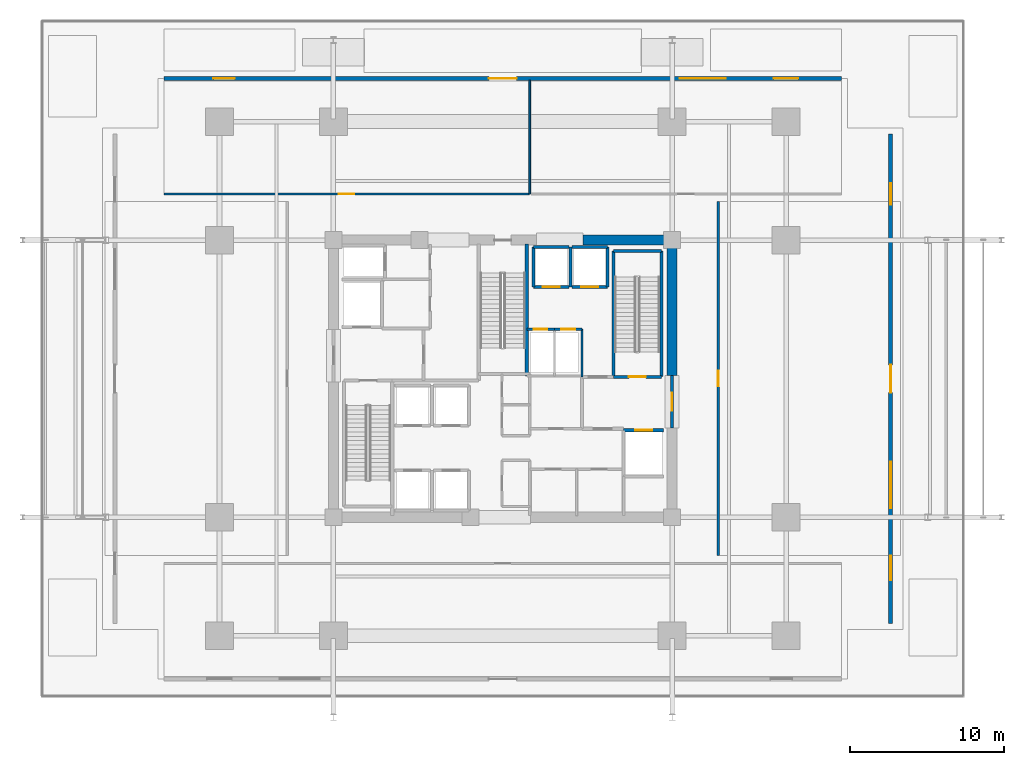
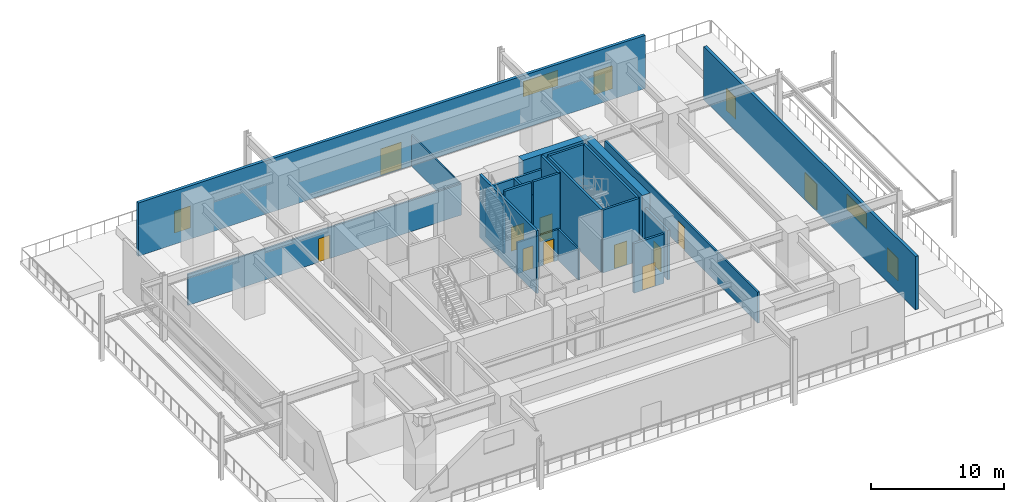
# One storey, part 8 of 14: 24 walls, 11 doors, 6 windows, 17 openings.
"""IFC4 building model written with IfcOpenShell, lengths in metres."""

from ifc_helpers import new_model, si_unit, direction, frame, frame_2d, origin, place, context, subcontext, project, spatial, rectangle, extrude, material, layer, layer_set, type_object, element, fill, save


model = new_model("IFC4")

# Units and contexts
model_context = context("Model", 3, precision=1e-05, world=origin(), true_north=direction((0.0, 1.0)))
body_context = subcontext(model_context, "Body", "Model", "MODEL_VIEW")
ifc_project = project(units=[si_unit("LENGTHUNIT", "METRE"), si_unit("AREAUNIT", "SQUARE_METRE"), si_unit("VOLUMEUNIT", "CUBIC_METRE"), si_unit("PLANEANGLEUNIT", "RADIAN"), si_unit("MASSUNIT", "GRAM", prefix="KILO")], contexts=[model_context])

# Site, building, storey
site_placement = place(None, origin())
site = spatial("IfcSite", under=ifc_project, at=site_placement, CompositionType="ELEMENT")
building_placement = place(site_placement, origin())
building = spatial("IfcBuilding", under=site, at=building_placement, Name="Kovane Verandah Tower", CompositionType="ELEMENT")
storey_placement = place(building_placement, frame((0.0, 0.0, 21.60009765625)))
storey = spatial("IfcBuildingStorey", under=building, at=storey_placement, Name="L04", CompositionType="ELEMENT", Elevation=21.60009765625)

# Wall
ifc_material_1 = material(Name="Fire-Rated Gypsum Stud Partition", Category="gypsum")
ifc_layer_1 = layer(ifc_material_1, 0.14990234375)
ifc_layer_set_1 = layer_set([ifc_layer_1], Name="Fire-Rated Gypsum Stud Partition")
wall_type_1 = type_object("IfcWallType", Name="WL-COR-150", PredefinedType="PARTITIONING", material=ifc_layer_set_1)
wall_1_placement = place(storey_placement, frame((45.14990234375, 27.6201171875, 0.0), z_axis=(0.0, 0.0, 1.0), x_axis=(0.0, 1.0, 0.0)))
element("IfcWall", 1, at=wall_1_placement, inside=storey, type_object=wall_type_1, Name="L04 East Core Service Riser East Wall", PredefinedType="PARTITIONING", context=body_context, shape_type="SweptSolid", body=[
    extrude(rectangle(XDim=3.099853515625, YDim=0.14990234375, at=frame_2d((1.5498046875, 0.0))), origin(), (0.0, 0.0, 1.0), 2.849853515625),
])

# Wall, opening, door
wall_2_placement = place(storey_placement, frame((41.56005859375, 30.719970703125, 0.0), z_axis=(0.0, 0.0, 1.0), x_axis=(1.0, 0.0, 0.0)))
wall_2 = element("IfcWall", 2, at=wall_2_placement, inside=storey, type_object=wall_type_1, Name="L04 Chilled Water Riser Room Partition", PredefinedType="PARTITIONING", context=body_context, shape_type="SweptSolid", body=[
    extrude(rectangle(XDim=1.800048828125, YDim=0.14990234375, at=frame_2d((0.89990234375, 0.0))), origin(), (0.0, 0.0, 1.0), 2.849853515625),
])
opening_1_placement = place(wall_2_placement, frame((0.4599609375, 0.0, 0.0)))
opening_1 = element("IfcOpeningElement", 3, at=opening_1_placement, cuts=wall_2, Name="Opening DR-L04-021", PredefinedType="OPENING", context=body_context, shape_type="SweptSolid", body=[
    extrude(rectangle(XDim=0.8798828125, YDim=2.10009765625, at=frame_2d((0.43994140625, 1.050048828125))), frame((0.0, 0.074951171875, 0.0), z_axis=(0.0, -1.0, 0.0), x_axis=(1.0, 0.0, 0.0)), (0.0, 0.0, 1.0), 0.14990234375),
])
ifc_material_2 = material(Name="Fire-Rated Steel Riser Access Door", Category="steel")
door_type_1 = type_object("IfcDoorType", Name="DR-RISER-880", OperationType="SINGLE_SWING_LEFT", PredefinedType="DOOR", material=ifc_material_2)
door_1_placement = place(opening_1_placement, origin())
door_1 = element("IfcDoor", 4, at=door_1_placement, inside=storey, type_object=door_type_1, Name="L04 Chilled Water Riser Room Door", OperationType="SINGLE_SWING_LEFT", OverallHeight=2.10009765625, OverallWidth=0.8798828125, PredefinedType="DOOR", context=body_context, shape_type="SweptSolid", body=[
    extrude(rectangle(XDim=0.8798828125, YDim=2.10009765625, at=frame_2d((0.43994140625, 1.050048828125))), frame((0.0, 0.02490234375, 0.0), z_axis=(0.0, -1.0, 0.0), x_axis=(1.0, 0.0, 0.0)), (0.0, 0.0, 1.0), 0.050048828125),
])
fill(opening_1, door_1)

wall_3_placement = place(storey_placement, frame((43.360107421875, 30.719970703125, 0.0), z_axis=(0.0, 0.0, 1.0), x_axis=(1.0, 0.0, 0.0)))
wall_3 = element("IfcWall", 5, at=wall_3_placement, inside=storey, type_object=wall_type_1, Name="L04 Smoke Extract Duct Room Partition", PredefinedType="PARTITIONING", context=body_context, shape_type="SweptSolid", body=[
    extrude(rectangle(XDim=1.789794921875, YDim=0.14990234375, at=frame_2d((0.89501953125, 0.0))), origin(), (0.0, 0.0, 1.0), 2.849853515625),
])
opening_2_placement = place(wall_3_placement, frame((0.455078125, 0.0, 0.0)))
opening_2 = element("IfcOpeningElement", 6, at=opening_2_placement, cuts=wall_3, Name="Opening DR-L04-022", PredefinedType="OPENING", context=body_context, shape_type="SweptSolid", body=[
    extrude(rectangle(XDim=0.8798828125, YDim=2.10009765625, at=frame_2d((0.43994140625, 1.050048828125))), frame((0.0, 0.074951171875, 0.0), z_axis=(0.0, -1.0, 0.0), x_axis=(1.0, 0.0, 0.0)), (0.0, 0.0, 1.0), 0.14990234375),
])
door_2_placement = place(opening_2_placement, origin())
door_2 = element("IfcDoor", 7, at=door_2_placement, inside=storey, type_object=door_type_1, Name="L04 Smoke Extract Duct Room Door", OperationType="SINGLE_SWING_RIGHT", OverallHeight=2.10009765625, OverallWidth=0.8798828125, PredefinedType="DOOR", context=body_context, shape_type="SweptSolid", body=[
    extrude(rectangle(XDim=0.8798828125, YDim=2.10009765625, at=frame_2d((0.43994140625, 1.050048828125))), frame((0.0, 0.02490234375, 0.0), z_axis=(0.0, -1.0, 0.0), x_axis=(1.0, 0.0, 0.0)), (0.0, 0.0, 1.0), 0.050048828125),
])
fill(opening_2, door_2)

wall_4_placement = place(storey_placement, frame((18.0, 39.5, 0.0), z_axis=(0.0, 0.0, 1.0), x_axis=(1.0, 0.0, 0.0)))
wall_4 = element("IfcWall", 8, at=wall_4_placement, inside=storey, type_object=wall_type_1, Name="L04 Subtropical Botanical Garden Cafe Corridor Partition", PredefinedType="PARTITIONING", context=body_context, shape_type="SweptSolid", body=[
    extrude(rectangle(XDim=23.75, YDim=0.14990234375, at=frame_2d((11.875, 0.0))), origin(), (0.0, 0.0, 1.0), 2.849853515625),
])
opening_3_placement = place(wall_4_placement, frame((11.340087890625, 0.0, 0.0)))
opening_3 = element("IfcOpeningElement", 9, at=opening_3_placement, cuts=wall_4, Name="Opening DR-L04-014", PredefinedType="OPENING", context=body_context, shape_type="SweptSolid", body=[
    extrude(rectangle(XDim=1.0, YDim=2.14990234375, at=frame_2d((0.5, 1.074951171875))), frame((0.0, 0.074951171875, 0.0), z_axis=(0.0, -1.0, 0.0), x_axis=(1.0, 0.0, 0.0)), (0.0, 0.0, 1.0), 0.14990234375),
])
ifc_material_3 = material(Name="FSC Spotted-Gum Timber Fire-Rated Office Door", Category="wood")
door_type_2 = type_object("IfcDoorType", Name="DR-OFF-1000", OperationType="SINGLE_SWING_LEFT", PredefinedType="DOOR", material=ifc_material_3)
door_3_placement = place(opening_3_placement, origin())
door_3 = element("IfcDoor", 10, at=door_3_placement, inside=storey, type_object=door_type_2, Name="L04 Subtropical Botanical Garden Cafe Entrance Door", OperationType="SINGLE_SWING_RIGHT", OverallHeight=2.14990234375, OverallWidth=1.0, PredefinedType="DOOR", context=body_context, shape_type="SweptSolid", body=[
    extrude(rectangle(XDim=1.0, YDim=2.14990234375, at=frame_2d((0.5, 1.074951171875))), frame((0.0, 0.02490234375, 0.0), z_axis=(0.0, -1.0, 0.0), x_axis=(1.0, 0.0, 0.0)), (0.0, 0.0, 1.0), 0.050048828125),
])
fill(opening_3, door_3)

wall_5_placement = place(storey_placement, frame((54.0, 16.0, 0.0), z_axis=(0.0, 0.0, 1.0), x_axis=(0.0, 1.0, 0.0)))
wall_5 = element("IfcWall", 11, at=wall_5_placement, inside=storey, type_object=wall_type_1, Name="L04 East Conservatory Exhibition Gallery Corridor Partition", PredefinedType="PARTITIONING", context=body_context, shape_type="SweptSolid", body=[
    extrude(rectangle(XDim=23.0, YDim=0.14990234375, at=frame_2d((11.5, 0.0))), origin(), (0.0, 0.0, 1.0), 2.849853515625),
])
opening_4_placement = place(wall_5_placement, frame((11.0, 0.0, 0.0)))
opening_4 = element("IfcOpeningElement", 12, at=opening_4_placement, cuts=wall_5, Name="Opening DR-L04-015", PredefinedType="OPENING", context=body_context, shape_type="SweptSolid", body=[
    extrude(rectangle(XDim=1.0, YDim=2.14990234375, at=frame_2d((0.5, 1.074951171875))), frame((0.0, 0.074951171875, 0.0), z_axis=(0.0, -1.0, 0.0), x_axis=(1.0, 0.0, 0.0)), (0.0, 0.0, 1.0), 0.14990234375),
])
door_4_placement = place(opening_4_placement, origin())
door_4 = element("IfcDoor", 13, at=door_4_placement, inside=storey, type_object=door_type_2, Name="L04 East Conservatory Exhibition Gallery Entrance Door", OperationType="SINGLE_SWING_LEFT", OverallHeight=2.14990234375, OverallWidth=1.0, PredefinedType="DOOR", context=body_context, shape_type="SweptSolid", body=[
    extrude(rectangle(XDim=1.0, YDim=2.14990234375, at=frame_2d((0.5, 1.074951171875))), frame((0.0, 0.02490234375, 0.0), z_axis=(0.0, -1.0, 0.0), x_axis=(1.0, 0.0, 0.0)), (0.0, 0.0, 1.0), 0.050048828125),
])
fill(opening_4, door_4)

# Walls
ifc_material_4 = material(Name="Concrete C80/95", Category="concrete")
ifc_layer_2 = layer(ifc_material_4, 0.64990234375)
ifc_layer_set_2 = layer_set([ifc_layer_2], Name="Concrete C80/95")
wall_type_2 = type_object("IfcWallType", Name="WL-CORE-650", PredefinedType="SHEAR", material=ifc_layer_set_2)
wall_6_placement = place(storey_placement, frame((45.199951171875, 36.5, 0.0), z_axis=(0.0, 0.0, 1.0), x_axis=(1.0, 0.0, 0.0)))
element("IfcWall", 14, at=wall_6_placement, inside=storey, type_object=wall_type_2, Name="L04 Core Shear Wall CN-3", PredefinedType="SHEAR", context=body_context, shape_type="SweptSolid", body=[
    extrude(rectangle(XDim=5.800048828125, YDim=0.64990234375, at=frame_2d((2.89990234375, 0.0))), origin(), (0.0, 0.0, 1.0), 5.760009765625),
])
wall_7_placement = place(storey_placement, frame((51.0, 27.699951171875, 0.0), z_axis=(0.0, 0.0, 1.0), x_axis=(0.0, 1.0, 0.0)))
element("IfcWall", 15, at=wall_7_placement, inside=storey, type_object=wall_type_2, Name="L04 Core Shear Wall CE-2", PredefinedType="SHEAR", context=body_context, shape_type="SweptSolid", body=[
    extrude(rectangle(XDim=8.800048828125, YDim=0.64990234375, at=frame_2d((4.39990234375, 0.0))), origin(), (0.0, 0.0, 1.0), 5.760009765625),
])

# Wall, opening, door
ifc_material_5 = material(Name="Concrete C45/55 Fire Wall", Category="concrete")
ifc_layer_3 = layer(ifc_material_5, 0.199951171875)
ifc_layer_set_3 = layer_set([ifc_layer_3], Name="Concrete C45/55 Fire Wall")
wall_type_3 = type_object("IfcWallType", Name="WL-FFL-200", PredefinedType="PARTITIONING", material=ifc_layer_set_3)
wall_8_placement = place(storey_placement, frame((51.0, 24.300048828125, 0.0), z_axis=(0.0, 0.0, 1.0), x_axis=(0.0, 1.0, 0.0)))
wall_8 = element("IfcWall", 16, at=wall_8_placement, inside=storey, type_object=wall_type_3, Name="W-L04-FFLE-OUT", PredefinedType="PARTITIONING", context=body_context, shape_type="SweptSolid", body=[
    extrude(rectangle(XDim=3.39990234375, YDim=0.199951171875, at=frame_2d((1.699951171875, 0.0))), origin(), (0.0, 0.0, 1.0), 4.539794921875),
])
opening_5_placement = place(wall_8_placement, frame((1.125, 0.0, 0.0)))
opening_5 = element("IfcOpeningElement", 17, at=opening_5_placement, cuts=wall_8, Name="Opening DR-L04-003", PredefinedType="OPENING", context=body_context, shape_type="SweptSolid", body=[
    extrude(rectangle(XDim=1.14990234375, YDim=2.199951171875, at=frame_2d((0.574951171875, 1.10009765625))), frame((0.0, 0.10009765625, 0.0), z_axis=(0.0, -1.0, 0.0), x_axis=(1.0, 0.0, 0.0)), (0.0, 0.0, 1.0), 0.199951171875),
])
ifc_material_6 = material(Name="Smoke-Sealed Firefighting Lobby Door", Category="steel")
door_type_3 = type_object("IfcDoorType", Name="DR-FFL-1150", OperationType="SINGLE_SWING_LEFT", PredefinedType="DOOR", material=ifc_material_6)
door_5_placement = place(opening_5_placement, origin())
door_5 = element("IfcDoor", 18, at=door_5_placement, inside=storey, type_object=door_type_3, Name="L04 East Firefighting Lobby Corridor Door", OperationType="SINGLE_SWING_LEFT", OverallHeight=2.199951171875, OverallWidth=1.14990234375, PredefinedType="DOOR", context=body_context, shape_type="SweptSolid", body=[
    extrude(rectangle(XDim=1.14990234375, YDim=2.199951171875, at=frame_2d((0.574951171875, 1.10009765625))), frame((0.0, 0.02490234375, 0.0), z_axis=(0.0, -1.0, 0.0), x_axis=(1.0, 0.0, 0.0)), (0.0, 0.0, 1.0), 0.050048828125),
])
fill(opening_5, door_5)

ifc_material_7 = material(Name="Concrete C45/55 Lift Shaft Wall", Category="concrete")
ifc_layer_4 = layer(ifc_material_7, 0.199951171875)
ifc_layer_set_4 = layer_set([ifc_layer_4], Name="Concrete C45/55 Lift Shaft Wall")
wall_type_4 = type_object("IfcWallType", Name="WL-LIFT-200", PredefinedType="SOLIDWALL", material=ifc_layer_set_4)
wall_9_placement = place(storey_placement, frame((50.449951171875, 24.14990234375, 0.0), z_axis=(0.0, 0.0, 1.0), x_axis=(-1.0, 0.0, 0.0)))
wall_9 = element("IfcWall", 19, at=wall_9_placement, inside=storey, type_object=wall_type_4, Name="L04 Lift FL-02 N Shaft Wall", PredefinedType="SOLIDWALL", context=body_context, shape_type="SweptSolid", body=[
    extrude(rectangle(XDim=2.599853515625, YDim=0.199951171875, at=frame_2d((1.2998046875, 0.0))), origin(), (0.0, 0.0, 1.0), 4.539794921875),
])
opening_6_placement = place(wall_9_placement, frame((0.75, 0.0, 0.0)))
opening_6 = element("IfcOpeningElement", 20, at=opening_6_placement, cuts=wall_9, Name="Opening LD-L04-002", PredefinedType="OPENING", context=body_context, shape_type="SweptSolid", body=[
    extrude(rectangle(XDim=1.10009765625, YDim=2.199951171875, at=frame_2d((0.550048828125, 1.10009765625))), frame((0.0, 0.10009765625, 0.0), z_axis=(0.0, -1.0, 0.0), x_axis=(1.0, 0.0, 0.0)), (0.0, 0.0, 1.0), 0.199951171875),
])
ifc_material_8 = material(Name="Brushed Stainless Steel Sliding Lift Landing Door", Category="steel")
door_type_4 = type_object("IfcDoorType", Name="DR-LIFT-1100", OperationType="SLIDING_TO_RIGHT", PredefinedType="DOOR", material=ifc_material_8)
door_6_placement = place(opening_6_placement, origin())
door_6 = element("IfcDoor", 21, at=door_6_placement, inside=storey, type_object=door_type_4, Name="L04 Lift FL-02 Sliding Landing Door", OperationType="SLIDING_TO_RIGHT", OverallHeight=2.199951171875, OverallWidth=1.10009765625, PredefinedType="DOOR", context=body_context, shape_type="SweptSolid", body=[
    extrude(rectangle(XDim=1.10009765625, YDim=2.199951171875, at=frame_2d((0.550048828125, 1.10009765625))), frame((0.0, 0.02490234375, 0.0), z_axis=(0.0, -1.0, 0.0), x_axis=(1.0, 0.0, 0.0)), (0.0, 0.0, 1.0), 0.050048828125),
])
fill(opening_6, door_6)

wall_10_placement = place(storey_placement, frame((42.0, 33.449951171875, 0.0), z_axis=(0.0, 0.0, 1.0), x_axis=(1.0, 0.0, 0.0)))
wall_10 = element("IfcWall", 22, at=wall_10_placement, inside=storey, type_object=wall_type_4, Name="L04 Lift SL-01 S Shaft Wall", PredefinedType="SOLIDWALL", context=body_context, shape_type="SweptSolid", body=[
    extrude(rectangle(XDim=2.300048828125, YDim=0.199951171875, at=frame_2d((1.14990234375, 0.0))), origin(), (0.0, 0.0, 1.0), 5.760009765625),
])
opening_7_placement = place(wall_10_placement, frame((0.60009765625, 0.0, 0.0)))
opening_7 = element("IfcOpeningElement", 23, at=opening_7_placement, cuts=wall_10, Name="Opening LD-L04-009", PredefinedType="OPENING", context=body_context, shape_type="SweptSolid", body=[
    extrude(rectangle(XDim=1.10009765625, YDim=2.199951171875, at=frame_2d((0.550048828125, 1.10009765625))), frame((0.0, 0.10009765625, 0.0), z_axis=(0.0, -1.0, 0.0), x_axis=(1.0, 0.0, 0.0)), (0.0, 0.0, 1.0), 0.199951171875),
])
door_7_placement = place(opening_7_placement, origin())
door_7 = element("IfcDoor", 24, at=door_7_placement, inside=storey, type_object=door_type_4, Name="L04 Lift SL-01 Sliding Landing Door", OperationType="SLIDING_TO_RIGHT", OverallHeight=2.199951171875, OverallWidth=1.10009765625, PredefinedType="DOOR", context=body_context, shape_type="SweptSolid", body=[
    extrude(rectangle(XDim=1.10009765625, YDim=2.199951171875, at=frame_2d((0.550048828125, 1.10009765625))), frame((0.0, 0.02490234375, 0.0), z_axis=(0.0, -1.0, 0.0), x_axis=(1.0, 0.0, 0.0)), (0.0, 0.0, 1.0), 0.050048828125),
])
fill(opening_7, door_7)

# Walls
wall_11_placement = place(storey_placement, frame((44.300048828125, 36.050048828125, 0.0), z_axis=(0.0, 0.0, 1.0), x_axis=(-1.0, 0.0, 0.0)))
element("IfcWall", 25, at=wall_11_placement, inside=storey, type_object=wall_type_4, Name="L04 Lift SL-01 N Shaft Wall", PredefinedType="SOLIDWALL", context=body_context, shape_type="SweptSolid", body=[
    extrude(rectangle(XDim=2.300048828125, YDim=0.199951171875, at=frame_2d((1.14990234375, 0.0))), origin(), (0.0, 0.0, 1.0), 4.539794921875),
])
for number, where, z_axis, x_axis, name in (
    (26, (42.0, 36.050048828125, 0.0), (0.0, 0.0, 1.0), (0.0, -1.0, 0.0), "L04 Lift SL-01 W Shaft Wall"),
    (27, (44.39990234375, 33.449951171875, 0.0), (0.0, 0.0, 1.0), (0.0, 1.0, 0.0), "L04 Lift OL-01 and SL-01 Shared Shaft Wall"),
):
    element("IfcWall", number, at=place(storey_placement, frame(where, z_axis=z_axis, x_axis=x_axis)), inside=storey, type_object=wall_type_4, Name=name, PredefinedType="SOLIDWALL", context=body_context, shape_type="SweptSolid", body=[
        extrude(rectangle(XDim=2.60009765625, YDim=0.199951171875, at=frame_2d((1.300048828125, 0.0))), origin(), (0.0, 0.0, 1.0), 4.539794921875),
    ])

# Wall, opening, door
wall_12_placement = place(storey_placement, frame((44.5, 33.449951171875, 0.0), z_axis=(0.0, 0.0, 1.0), x_axis=(1.0, 0.0, 0.0)))
wall_12 = element("IfcWall", 28, at=wall_12_placement, inside=storey, type_object=wall_type_4, Name="L04 Lift OL-01 S Shaft Wall", PredefinedType="SOLIDWALL", context=body_context, shape_type="SweptSolid", body=[
    extrude(rectangle(XDim=2.300048828125, YDim=0.199951171875, at=frame_2d((1.14990234375, 0.0))), origin(), (0.0, 0.0, 1.0), 5.760009765625),
])
opening_8_placement = place(wall_12_placement, frame((0.60009765625, 0.0, 0.0)))
opening_8 = element("IfcOpeningElement", 29, at=opening_8_placement, cuts=wall_12, Name="Opening LD-L04-004", PredefinedType="OPENING", context=body_context, shape_type="SweptSolid", body=[
    extrude(rectangle(XDim=1.10009765625, YDim=2.199951171875, at=frame_2d((0.550048828125, 1.10009765625))), frame((0.0, 0.10009765625, 0.0), z_axis=(0.0, -1.0, 0.0), x_axis=(1.0, 0.0, 0.0)), (0.0, 0.0, 1.0), 0.199951171875),
])
door_8_placement = place(opening_8_placement, origin())
door_8 = element("IfcDoor", 30, at=door_8_placement, inside=storey, type_object=door_type_4, Name="L04 Lift OL-01 Sliding Landing Door", OperationType="SLIDING_TO_RIGHT", OverallHeight=2.199951171875, OverallWidth=1.10009765625, PredefinedType="DOOR", context=body_context, shape_type="SweptSolid", body=[
    extrude(rectangle(XDim=1.10009765625, YDim=2.199951171875, at=frame_2d((0.550048828125, 1.10009765625))), frame((0.0, 0.02490234375, 0.0), z_axis=(0.0, -1.0, 0.0), x_axis=(1.0, 0.0, 0.0)), (0.0, 0.0, 1.0), 0.050048828125),
])
fill(opening_8, door_8)

# Walls
wall_13_placement = place(storey_placement, frame((46.800048828125, 36.050048828125, 0.0), z_axis=(0.0, 0.0, 1.0), x_axis=(-1.0, 0.0, 0.0)))
element("IfcWall", 31, at=wall_13_placement, inside=storey, type_object=wall_type_4, Name="L04 Lift OL-01 N Shaft Wall", PredefinedType="SOLIDWALL", context=body_context, shape_type="SweptSolid", body=[
    extrude(rectangle(XDim=2.300048828125, YDim=0.199951171875, at=frame_2d((1.14990234375, 0.0))), origin(), (0.0, 0.0, 1.0), 4.539794921875),
])
wall_14_placement = place(storey_placement, frame((46.800048828125, 33.449951171875, 0.0), z_axis=(0.0, 0.0, 1.0), x_axis=(0.0, 1.0, 0.0)))
element("IfcWall", 32, at=wall_14_placement, inside=storey, type_object=wall_type_4, Name="L04 Lift OL-01 E Shaft Wall", PredefinedType="SOLIDWALL", context=body_context, shape_type="SweptSolid", body=[
    extrude(rectangle(XDim=2.60009765625, YDim=0.199951171875, at=frame_2d((1.300048828125, 0.0))), origin(), (0.0, 0.0, 1.0), 5.760009765625),
])
ifc_material_9 = material(Name="Acoustic Fire-Rated Gypsum Partition", Category="gypsum")
ifc_layer_5 = layer(ifc_material_9, 0.1201171875)
ifc_layer_set_5 = layer_set([ifc_layer_5], Name="Acoustic Fire-Rated Gypsum Partition")
wall_type_5 = type_object("IfcWallType", Name="WL-PART-120", PredefinedType="PARTITIONING", material=ifc_layer_set_5)
wall_15_placement = place(storey_placement, frame((41.75, 39.5, 0.0), z_axis=(0.0, 0.0, 1.0), x_axis=(0.0, 1.0, 0.0)))
element("IfcWall", 33, at=wall_15_placement, inside=storey, type_object=wall_type_5, Name="L04 Subtropical Botanical Garden Cafe Dividing Partition", PredefinedType="PARTITIONING", context=body_context, shape_type="SweptSolid", body=[
    extrude(rectangle(XDim=7.39990234375, YDim=0.1201171875, at=frame_2d((3.699951171875, 0.0))), origin(), (0.0, 0.0, 1.0), 2.849853515625),
])
ifc_material_10 = material(Name="Concrete C45/55", Category="concrete")
ifc_layer_6 = layer(ifc_material_10, 0.199951171875)
ifc_layer_set_6 = layer_set([ifc_layer_6], Name="Concrete C45/55")
wall_type_6 = type_object("IfcWallType", Name="WL-SHAFT-200", PredefinedType="SOLIDWALL", material=ifc_layer_set_6)
wall_16_placement = place(storey_placement, frame((50.300048828125, 27.64990234375, 0.0), z_axis=(0.0, 0.0, 1.0), x_axis=(0.0, 1.0, 0.0)))
element("IfcWall", 34, at=wall_16_placement, inside=storey, type_object=wall_type_6, Name="W-L04-ST02-E", PredefinedType="SOLIDWALL", context=body_context, shape_type="SweptSolid", body=[
    extrude(rectangle(XDim=8.150146484375, YDim=0.199951171875, at=frame_2d((4.0751953125, 0.0))), origin(), (0.0, 0.0, 1.0), 5.760009765625),
])
wall_17_placement = place(storey_placement, frame((47.179931640625, 35.800048828125, 0.0), z_axis=(0.0, 0.0, 1.0), x_axis=(1.0, 0.0, 0.0)))
element("IfcWall", 35, at=wall_17_placement, inside=storey, type_object=wall_type_6, Name="W-L04-ST02-N", PredefinedType="SOLIDWALL", context=body_context, shape_type="SweptSolid", body=[
    extrude(rectangle(XDim=3.1201171875, YDim=0.199951171875, at=frame_2d((1.56005859375, 0.0))), origin(), (0.0, 0.0, 1.0), 5.760009765625),
])
wall_18_placement = place(storey_placement, frame((47.179931640625, 27.6201171875, 0.0), z_axis=(0.0, 0.0, 1.0), x_axis=(0.0, 1.0, 0.0)))
element("IfcWall", 36, at=wall_18_placement, inside=storey, type_object=wall_type_6, Name="W-L04-ST02-W", PredefinedType="SOLIDWALL", context=body_context, shape_type="SweptSolid", body=[
    extrude(rectangle(XDim=8.179931640625, YDim=0.199951171875, at=frame_2d((4.08984375, 0.0))), origin(), (0.0, 0.0, 1.0), 5.760009765625),
])

# Wall, opening, door
wall_19_placement = place(storey_placement, frame((47.179931640625, 27.6201171875, 0.0), z_axis=(0.0, 0.0, 1.0), x_axis=(1.0, 0.0, 0.0)))
wall_19 = element("IfcWall", 37, at=wall_19_placement, inside=storey, type_object=wall_type_6, Name="W-L04-ST02-S", PredefinedType="SOLIDWALL", context=body_context, shape_type="SweptSolid", body=[
    extrude(rectangle(XDim=3.1201171875, YDim=0.199951171875, at=frame_2d((1.56005859375, 0.0))), origin(), (0.0, 0.0, 1.0), 5.760009765625),
])
opening_9_placement = place(wall_19_placement, frame((1.010009765625, 0.0, 0.0)))
opening_9 = element("IfcOpeningElement", 38, at=opening_9_placement, cuts=wall_19, Name="Opening DR-L04-012", PredefinedType="OPENING", context=body_context, shape_type="SweptSolid", body=[
    extrude(rectangle(XDim=1.10009765625, YDim=2.14990234375, at=frame_2d((0.550048828125, 1.074951171875))), frame((0.0, 0.10009765625, 0.0), z_axis=(0.0, -1.0, 0.0), x_axis=(1.0, 0.0, 0.0)), (0.0, 0.0, 1.0), 0.199951171875),
])
ifc_material_11 = material(Name="Fire-Rated Steel Exit Door", Category="steel")
door_type_5 = type_object("IfcDoorType", Name="DR-STAIR-1100", OperationType="SINGLE_SWING_LEFT", PredefinedType="DOOR", material=ifc_material_11)
door_9_placement = place(opening_9_placement, origin())
door_9 = element("IfcDoor", 39, at=door_9_placement, inside=storey, type_object=door_type_5, Name="L04 ST-02 Fire Exit Stair Door", OperationType="SINGLE_SWING_LEFT", OverallHeight=2.14990234375, OverallWidth=1.10009765625, PredefinedType="DOOR", context=body_context, shape_type="SweptSolid", body=[
    extrude(rectangle(XDim=1.10009765625, YDim=2.14990234375, at=frame_2d((0.550048828125, 1.074951171875))), frame((0.0, 0.02490234375, 0.0), z_axis=(0.0, -1.0, 0.0), x_axis=(1.0, 0.0, 0.0)), (0.0, 0.0, 1.0), 0.050048828125),
])
fill(opening_9, door_9)

# Wall
wall_20_placement = place(storey_placement, frame((41.56005859375, 27.679931640625, 0.0), z_axis=(0.0, 0.0, 1.0), x_axis=(0.0, 1.0, 0.0)))
element("IfcWall", 40, at=wall_20_placement, inside=storey, type_object=wall_type_6, Name="W-L04-ST03-E", PredefinedType="SOLIDWALL", context=body_context, shape_type="SweptSolid", body=[
    extrude(rectangle(XDim=8.570068359375, YDim=0.199951171875, at=frame_2d((4.28515625, 0.0))), origin(), (0.0, 0.0, 1.0), 5.760009765625),
])

# Wall, openings, door, windows
ifc_material_12 = material(Name="Concrete C45/55 Insulated Spandrel Wall", Category="concrete")
ifc_layer_7 = layer(ifc_material_12, 0.260009765625)
ifc_layer_set_7 = layer_set([ifc_layer_7], Name="Concrete C45/55 Insulated Spandrel Wall")
wall_type_7 = type_object("IfcWallType", Name="WL-SPANDREL-260", PredefinedType="PARAPET", material=ifc_layer_set_7)
wall_21_placement = place(storey_placement, frame((62.0, 47.0, 0.0), z_axis=(0.0, 0.0, 1.0), x_axis=(-1.0, 0.0, 0.0)))
wall_21 = element("IfcWall", 41, at=wall_21_placement, inside=storey, type_object=wall_type_7, Name="L04 Garden Pavilion N Wall", PredefinedType="PARAPET", context=body_context, shape_type="SweptSolid", body=[
    extrude(rectangle(XDim=44.0, YDim=0.260009765625, at=frame_2d((22.0, 0.0))), origin(), (0.0, 0.0, 1.0), 4.888916015625),
])
opening_10_placement = place(wall_21_placement, frame((2.800048828125, 0.0, 0.89990234375)))
opening_10 = element("IfcOpeningElement", 42, at=opening_10_placement, cuts=wall_21, Name="Opening W-02", PredefinedType="OPENING", context=body_context, shape_type="SweptSolid", body=[
    extrude(rectangle(XDim=1.60009765625, YDim=2.10009765625, at=frame_2d((0.800048828125, 1.050048828125))), frame((0.0, 0.1298828125, 0.0), z_axis=(0.0, -1.0, 0.0), x_axis=(1.0, 0.0, 0.0)), (0.0, 0.0, 1.0), 0.260009765625),
])
opening_11_placement = place(wall_21_placement, frame((7.5, 0.0, 2.85009765625)))
opening_11 = element("IfcOpeningElement", 43, at=opening_11_placement, cuts=wall_21, Name="Opening SK-02", PredefinedType="OPENING", context=body_context, shape_type="SweptSolid", body=[
    extrude(rectangle(XDim=3.0, YDim=1.39990234375, at=frame_2d((1.5, 0.699951171875))), frame((0.0, 0.1298828125, 0.0), z_axis=(0.0, -1.0, 0.0), x_axis=(1.0, 0.0, 0.0)), (0.0, 0.0, 1.0), 0.260009765625),
])
opening_12_placement = place(wall_21_placement, frame((21.10009765625, 0.0, 0.0)))
opening_12 = element("IfcOpeningElement", 44, at=opening_12_placement, cuts=wall_21, Name="Opening DR-L04-007", PredefinedType="OPENING", context=body_context, shape_type="SweptSolid", body=[
    extrude(rectangle(XDim=1.800048828125, YDim=2.39990234375, at=frame_2d((0.89990234375, 1.199951171875))), frame((0.0, 0.1298828125, 0.0), z_axis=(0.0, -1.0, 0.0), x_axis=(1.0, 0.0, 0.0)), (0.0, 0.0, 1.0), 0.260009765625),
])
opening_13_placement = place(wall_21_placement, frame((39.39990234375, 0.0, 0.949951171875)))
opening_13 = element("IfcOpeningElement", 45, at=opening_13_placement, cuts=wall_21, Name="Opening W-01", PredefinedType="OPENING", context=body_context, shape_type="SweptSolid", body=[
    extrude(rectangle(XDim=1.39990234375, YDim=2.0, at=frame_2d((0.699951171875, 1.0))), frame((0.0, 0.1298828125, 0.0), z_axis=(0.0, -1.0, 0.0), x_axis=(1.0, 0.0, 0.0)), (0.0, 0.0, 1.0), 0.260009765625),
])
ifc_material_13 = material(Name="Cyclone-Rated Glazed Verandah Double Door", Category="aluminium")
door_type_6 = type_object("IfcDoorType", Name="DR-TERR-1800x2400", OperationType="DOUBLE_DOOR_SINGLE_SWING", PredefinedType="DOOR", material=ifc_material_13)
door_10_placement = place(opening_12_placement, origin())
door_10 = element("IfcDoor", 46, at=door_10_placement, inside=storey, type_object=door_type_6, Name="North Botanical Cafe Garden Door", OperationType="DOUBLE_DOOR_SINGLE_SWING", OverallHeight=2.39990234375, OverallWidth=1.800048828125, PredefinedType="DOOR", context=body_context, shape_type="SweptSolid", body=[
    extrude(rectangle(XDim=1.800048828125, YDim=2.39990234375, at=frame_2d((0.89990234375, 1.199951171875))), frame((0.0, 0.02490234375, 0.0), z_axis=(0.0, -1.0, 0.0), x_axis=(1.0, 0.0, 0.0)), (0.0, 0.0, 1.0), 0.050048828125),
])
fill(opening_12, door_10)
ifc_material_14 = material(Name="Clear Low-E Laminated Double Glazing in Anodised Frame", Category="glass")
window_type_1 = type_object("IfcWindowType", Name="WN-OPER-1400x2000", PartitioningType="SINGLE_PANEL", PredefinedType="WINDOW", material=ifc_material_14)
window_1_placement = place(opening_13_placement, origin())
window_1 = element("IfcWindow", 47, at=window_1_placement, inside=storey, type_object=window_type_1, Name="L04 N Pavilion Window 2", OverallHeight=2.0, OverallWidth=1.39990234375, PartitioningType="SINGLE_PANEL", PredefinedType="WINDOW", context=body_context, shape_type="SweptSolid", body=[
    extrude(rectangle(XDim=1.39990234375, YDim=2.0, at=frame_2d((0.699951171875, 1.0))), frame((0.0, 0.030029296875, 0.0), z_axis=(0.0, -1.0, 0.0), x_axis=(1.0, 0.0, 0.0)), (0.0, 0.0, 1.0), 0.06005859375),
])
fill(opening_13, window_1)
window_type_2 = type_object("IfcWindowType", Name="WN-OPER-1600x2100", PartitioningType="SINGLE_PANEL", PredefinedType="WINDOW", material=ifc_material_14)
window_2_placement = place(opening_10_placement, origin())
window_2 = element("IfcWindow", 48, at=window_2_placement, inside=storey, type_object=window_type_2, Name="L04 N Pavilion Window 1", OverallHeight=2.10009765625, OverallWidth=1.60009765625, PartitioningType="SINGLE_PANEL", PredefinedType="WINDOW", context=body_context, shape_type="SweptSolid", body=[
    extrude(rectangle(XDim=1.60009765625, YDim=2.10009765625, at=frame_2d((0.800048828125, 1.050048828125))), frame((0.0, 0.030029296875, 0.0), z_axis=(0.0, -1.0, 0.0), x_axis=(1.0, 0.0, 0.0)), (0.0, 0.0, 1.0), 0.06005859375),
])
fill(opening_10, window_2)
window_type_3 = type_object("IfcWindowType", Name="WN-SKYLIGHT-3000", PartitioningType="SINGLE_PANEL", PredefinedType="SKYLIGHT", material=ifc_material_14)
window_3_placement = place(opening_11_placement, origin())
window_3 = element("IfcWindow", 49, at=window_3_placement, inside=storey, type_object=window_type_3, Name="L04 N Conservatory Lantern Window", OverallHeight=1.39990234375, OverallWidth=3.0, PartitioningType="SINGLE_PANEL", PredefinedType="SKYLIGHT", context=body_context, shape_type="SweptSolid", body=[
    extrude(rectangle(XDim=3.0, YDim=1.39990234375, at=frame_2d((1.5, 0.699951171875))), frame((0.0, 0.030029296875, 0.0), z_axis=(0.0, -1.0, 0.0), x_axis=(1.0, 0.0, 0.0)), (0.0, 0.0, 1.0), 0.06005859375),
])
fill(opening_11, window_3)

wall_22_placement = place(storey_placement, frame((65.199951171875, 11.60009765625, 0.0), z_axis=(0.0, 0.0, 1.0), x_axis=(0.0, 1.0, 0.0)))
wall_22 = element("IfcWall", 50, at=wall_22_placement, inside=storey, type_object=wall_type_7, Name="L04 Garden Pavilion E Wall", PredefinedType="PARAPET", context=body_context, shape_type="SweptSolid", body=[
    extrude(rectangle(XDim=31.7998046875, YDim=0.260009765625, at=frame_2d((15.89990234375, 0.0))), origin(), (0.0, 0.0, 1.0), 4.888916015625),
])
opening_14_placement = place(wall_22_placement, frame((2.800048828125, 0.0, 0.89990234375)))
opening_14 = element("IfcOpeningElement", 51, at=opening_14_placement, cuts=wall_22, Name="Opening W-02", PredefinedType="OPENING", context=body_context, shape_type="SweptSolid", body=[
    extrude(rectangle(XDim=1.60009765625, YDim=2.10009765625, at=frame_2d((0.800048828125, 1.050048828125))), frame((0.0, 0.1298828125, 0.0), z_axis=(0.0, -1.0, 0.0), x_axis=(1.0, 0.0, 0.0)), (0.0, 0.0, 1.0), 0.260009765625),
])
opening_15_placement = place(wall_22_placement, frame((7.5, 0.0, 2.85009765625)))
opening_15 = element("IfcOpeningElement", 52, at=opening_15_placement, cuts=wall_22, Name="Opening SK-02", PredefinedType="OPENING", context=body_context, shape_type="SweptSolid", body=[
    extrude(rectangle(XDim=3.0, YDim=1.39990234375, at=frame_2d((1.5, 0.699951171875))), frame((0.0, 0.1298828125, 0.0), z_axis=(0.0, -1.0, 0.0), x_axis=(1.0, 0.0, 0.0)), (0.0, 0.0, 1.0), 0.260009765625),
])
opening_16_placement = place(wall_22_placement, frame((15.0, 0.0, 0.0)))
opening_16 = element("IfcOpeningElement", 53, at=opening_16_placement, cuts=wall_22, Name="Opening DR-L04-006", PredefinedType="OPENING", context=body_context, shape_type="SweptSolid", body=[
    extrude(rectangle(XDim=1.800048828125, YDim=2.39990234375, at=frame_2d((0.89990234375, 1.199951171875))), frame((0.0, 0.1298828125, 0.0), z_axis=(0.0, -1.0, 0.0), x_axis=(1.0, 0.0, 0.0)), (0.0, 0.0, 1.0), 0.260009765625),
])
opening_17_placement = place(wall_22_placement, frame((27.199951171875, 0.0, 0.949951171875)))
opening_17 = element("IfcOpeningElement", 54, at=opening_17_placement, cuts=wall_22, Name="Opening W-01", PredefinedType="OPENING", context=body_context, shape_type="SweptSolid", body=[
    extrude(rectangle(XDim=1.39990234375, YDim=2.0, at=frame_2d((0.699951171875, 1.0))), frame((0.0, 0.1298828125, 0.0), z_axis=(0.0, -1.0, 0.0), x_axis=(1.0, 0.0, 0.0)), (0.0, 0.0, 1.0), 0.260009765625),
])
door_11_placement = place(opening_16_placement, origin())
door_11 = element("IfcDoor", 55, at=door_11_placement, inside=storey, type_object=door_type_6, Name="East Conservatory Garden Door", OperationType="DOUBLE_DOOR_SINGLE_SWING", OverallHeight=2.39990234375, OverallWidth=1.800048828125, PredefinedType="DOOR", context=body_context, shape_type="SweptSolid", body=[
    extrude(rectangle(XDim=1.800048828125, YDim=2.39990234375, at=frame_2d((0.89990234375, 1.199951171875))), frame((0.0, 0.02490234375, 0.0), z_axis=(0.0, -1.0, 0.0), x_axis=(1.0, 0.0, 0.0)), (0.0, 0.0, 1.0), 0.050048828125),
])
fill(opening_16, door_11)
window_4_placement = place(opening_17_placement, origin())
window_4 = element("IfcWindow", 56, at=window_4_placement, inside=storey, type_object=window_type_1, Name="L04 E Pavilion Window 2", OverallHeight=2.0, OverallWidth=1.39990234375, PartitioningType="SINGLE_PANEL", PredefinedType="WINDOW", context=body_context, shape_type="SweptSolid", body=[
    extrude(rectangle(XDim=1.39990234375, YDim=2.0, at=frame_2d((0.699951171875, 1.0))), frame((0.0, 0.030029296875, 0.0), z_axis=(0.0, -1.0, 0.0), x_axis=(1.0, 0.0, 0.0)), (0.0, 0.0, 1.0), 0.06005859375),
])
fill(opening_17, window_4)
window_5_placement = place(opening_14_placement, origin())
window_5 = element("IfcWindow", 57, at=window_5_placement, inside=storey, type_object=window_type_2, Name="L04 E Pavilion Window 1", OverallHeight=2.10009765625, OverallWidth=1.60009765625, PartitioningType="SINGLE_PANEL", PredefinedType="WINDOW", context=body_context, shape_type="SweptSolid", body=[
    extrude(rectangle(XDim=1.60009765625, YDim=2.10009765625, at=frame_2d((0.800048828125, 1.050048828125))), frame((0.0, 0.030029296875, 0.0), z_axis=(0.0, -1.0, 0.0), x_axis=(1.0, 0.0, 0.0)), (0.0, 0.0, 1.0), 0.06005859375),
])
fill(opening_14, window_5)
window_6_placement = place(opening_15_placement, origin())
window_6 = element("IfcWindow", 58, at=window_6_placement, inside=storey, type_object=window_type_3, Name="L04 E Conservatory Lantern Window", OverallHeight=1.39990234375, OverallWidth=3.0, PartitioningType="SINGLE_PANEL", PredefinedType="SKYLIGHT", context=body_context, shape_type="SweptSolid", body=[
    extrude(rectangle(XDim=3.0, YDim=1.39990234375, at=frame_2d((1.5, 0.699951171875))), frame((0.0, 0.030029296875, 0.0), z_axis=(0.0, -1.0, 0.0), x_axis=(1.0, 0.0, 0.0)), (0.0, 0.0, 1.0), 0.06005859375),
])
fill(opening_15, window_6)

save(model, "model.ifc")
